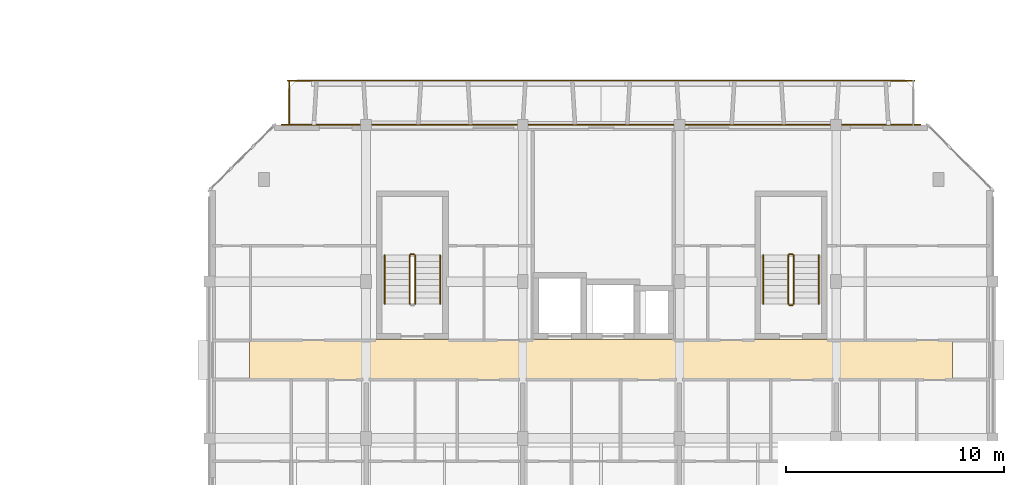
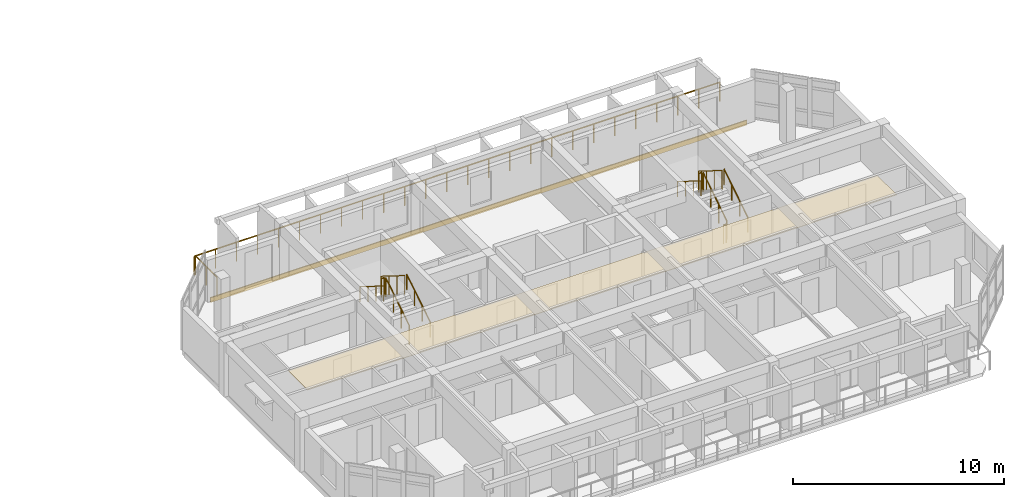
# One storey, part 37 of 40: 13 railings, 2 coverings.
"""IFC4 building model written with IfcOpenShell, lengths in metres."""

import ifcopenshell
import ifcopenshell.guid

model = None  # the IFC model being written
_history = None  # IfcOwnerHistory: only IFC2X3 demands one
_inside = {}  # id of a spatial element -> (the spatial element, [elements in it])
_under = {}  # id of a project, library or spatial element -> (it, [spatial elements below it])
_declared = {}  # id of a project -> (the project, [libraries it declares])
_typed = {}  # id of a type object -> (the type object, [elements of that type])
_made_of = {}  # id of a material, layer set ... -> (it, [elements and type objects made of it])


def new_model(schema):
    """Start an empty IFC model of exactly this schema.

    Asked for "IFC4X3", IfcOpenShell would pick the latest addendum, in which some entities
    have other attributes; the version numbers below select the first issue.
    IFC2X3 requires an IfcOwnerHistory on every rooted entity: one is made here for all.
    """
    global model, _history
    if schema == "IFC4X3":
        model = ifcopenshell.file(schema_version=(4, 3, 0, 0))
    else:
        model = ifcopenshell.file(schema=schema)
    _inside.clear()
    _under.clear()
    _declared.clear()
    _typed.clear()
    _made_of.clear()
    _history = None
    if model.schema == "IFC2X3":
        org = make("IfcOrganization", Name="unknown")
        user = make(
            "IfcPersonAndOrganization",
            ThePerson=make("IfcPerson", FamilyName="unknown"),
            TheOrganization=org,
        )
        app = make(
            "IfcApplication",
            ApplicationDeveloper=org,
            Version="unknown",
            ApplicationFullName="unknown",
            ApplicationIdentifier="unknown",
        )
        _history = make(
            "IfcOwnerHistory",
            OwningUser=user,
            OwningApplication=app,
            ChangeAction="ADDED",
            CreationDate=0,
        )
    return model


def make(cls, **values):
    """One entity of the class cls with the attributes given. An attribute that is None is left unset."""
    return model.create_entity(
        cls, **{name: value for name, value in values.items() if value is not None}
    )


def rooted(cls, **values):
    """An entity with a GlobalId (a new one), such as an element, a storey or a relation."""
    return make(cls, GlobalId=ifcopenshell.guid.new(), OwnerHistory=_history, **values)


def si_unit(unit_type, name, prefix=None):
    """IfcSIUnit, for example si_unit("LENGTHUNIT", "METRE", prefix="MILLI")."""
    return make("IfcSIUnit", UnitType=unit_type, Prefix=prefix, Name=name)


def assignment(units):
    """IfcUnitAssignment: the units of a project."""
    return None if units is None else make("IfcUnitAssignment", Units=units)


def point(xyz):
    """IfcCartesianPoint."""
    return None if xyz is None else make("IfcCartesianPoint", Coordinates=xyz)


def direction(xyz):
    """IfcDirection."""
    return None if xyz is None else make("IfcDirection", DirectionRatios=xyz)


def frame(location, z_axis=None, x_axis=None):
    """IfcAxis2Placement3D, a coordinate frame: its origin and axes. An axis left out is left unset."""
    return make(
        "IfcAxis2Placement3D",
        Location=point(location),
        Axis=direction(z_axis),
        RefDirection=direction(x_axis),
    )


def frame_2d(location, x_axis=None):
    """IfcAxis2Placement2D, a coordinate frame in the plane: its origin and x axis."""
    return make(
        "IfcAxis2Placement2D", Location=point(location), RefDirection=direction(x_axis)
    )


def origin():
    """The frame at (0, 0, 0) with its axes left unset."""
    return frame((0.0, 0.0, 0.0))


def origin_2d():
    """The frame at (0, 0) in the plane with its x axis left unset."""
    return frame_2d((0.0, 0.0))


def place(relative_to, where):
    """IfcLocalPlacement: puts the frame where relative to a parent placement (None: the world)."""
    return make(
        "IfcLocalPlacement", PlacementRelTo=relative_to, RelativePlacement=where
    )


def context(
    kind, dimensions, precision=None, world=None, true_north=None, identifier=None
):
    """IfcGeometricRepresentationContext, for example the 3D "Model" context."""
    return make(
        "IfcGeometricRepresentationContext",
        ContextIdentifier=identifier,
        ContextType=kind,
        CoordinateSpaceDimension=dimensions,
        Precision=precision,
        WorldCoordinateSystem=world,
        TrueNorth=true_north,
    )


def subcontext(parent, identifier, kind, view, scale=None):
    """IfcGeometricRepresentationSubContext, for example "Body" below "Model"."""
    return make(
        "IfcGeometricRepresentationSubContext",
        ContextIdentifier=identifier,
        ContextType=kind,
        ParentContext=parent,
        TargetScale=scale,
        TargetView=view,
    )


def project(units=None, contexts=None):
    """IfcProject with its units and contexts."""
    return rooted(
        "IfcProject",
        Name="project",
        RepresentationContexts=contexts,
        UnitsInContext=assignment(units),
    )


def spatial(cls, under=None, at=None, **own):
    """A site, building, storey or space (cls), placed at a placement, below another one or the project."""
    s = rooted(cls, ObjectPlacement=at, **own)
    if under is not None:
        _under.setdefault(under.id(), (under, []))[1].append(s)
    return s


def polyline(points):
    """IfcPolyline through the points."""
    return make("IfcPolyline", Points=[point(p) for p in points])


def profile(cls, at=None, kind="AREA", **sizes):
    """A parametric profile (cls). Its sizes go by their IFC names, for example OverallWidth=200.0."""
    return make(cls, ProfileType=kind, Position=at, **sizes)


def rectangle(**sizes):
    """IfcRectangleProfileDef."""
    return profile("IfcRectangleProfileDef", **sizes)


def circle(**sizes):
    """IfcCircleProfileDef."""
    return profile("IfcCircleProfileDef", **sizes)


def outline(outer, holes=None, kind="AREA"):
    """IfcArbitraryClosedProfileDef: a profile drawn as a closed curve; with holes, ...WithVoids."""
    if holes is None:
        return make("IfcArbitraryClosedProfileDef", ProfileType=kind, OuterCurve=outer)
    return make(
        "IfcArbitraryProfileDefWithVoids",
        ProfileType=kind,
        OuterCurve=outer,
        InnerCurves=holes,
    )


def extrude(swept, where, along, depth):
    """IfcExtrudedAreaSolid: the profile swept, set in the frame where, extruded along a direction by depth."""
    return make(
        "IfcExtrudedAreaSolid",
        SweptArea=swept,
        Position=where,
        ExtrudedDirection=direction(along),
        Depth=depth,
    )


def shape(context_of_items, identifier, shape_type, items):
    """IfcShapeRepresentation: the items that make up one representation, for example the "Body"."""
    return make(
        "IfcShapeRepresentation",
        ContextOfItems=context_of_items,
        RepresentationIdentifier=identifier,
        RepresentationType=shape_type,
        Items=items,
    )


def material(Name=None, Category=None):
    """IfcMaterial."""
    return make("IfcMaterial", Name=Name, Category=Category)


def layer(
    of_material, thickness, ventilated=None, Name=None, Category=None, Priority=None
):
    """IfcMaterialLayer: one layer of a wall or slab, of a material (None: an air gap)."""
    return make(
        "IfcMaterialLayer",
        Material=of_material,
        LayerThickness=thickness,
        IsVentilated=ventilated,
        Name=Name,
        Category=Category,
        Priority=Priority,
    )


def layer_set(layers, Name=None):
    """IfcMaterialLayerSet."""
    return make("IfcMaterialLayerSet", MaterialLayers=layers, LayerSetName=Name)


def made_of(thing, what):
    """Note that an element or type object is made of a material, layer set ...; save() writes the relation."""
    if what is not None:
        _made_of.setdefault(what.id(), (what, []))[1].append(thing)
    return thing


def type_object(cls, material=None, **own):
    """A type object (cls), such as IfcWallType, which elements share."""
    return made_of(rooted(cls, **own), material)


def element(
    cls,
    number,
    at=None,
    inside=None,
    cuts=None,
    type_object=None,
    material=None,
    context=None,
    identifier="Body",
    shape_type=None,
    held_by="IfcProductDefinitionShape",
    body=None,
    shapes=None,
    **own,
):
    """One element of the class cls, such as IfcWall. Its Tag is "e" and its number.

    at: its placement. inside: the storey or other place that contains it. cuts: it is an
    opening in that element (IfcRelVoidsElement). A single representation is given by context,
    identifier, shape_type and body (its items); several are given by shapes. held_by: the class
    of the entity that holds the representations. save() writes the other relations.
    """
    e = rooted(cls, Tag="e%d" % number, ObjectPlacement=at, **own)
    if body is not None:
        shapes = [shape(context, identifier, shape_type, body)]
    if shapes is not None:
        e.Representation = make(held_by, Representations=shapes)
    if inside is not None:
        _inside.setdefault(inside.id(), (inside, []))[1].append(e)
    if cuts is not None:
        rooted(
            "IfcRelVoidsElement", RelatingBuildingElement=cuts, RelatedOpeningElement=e
        )
    if type_object is not None:
        _typed.setdefault(type_object.id(), (type_object, []))[1].append(e)
    return made_of(e, material)


def aggregate(whole, parts):
    """IfcRelAggregates: a whole, such as a stair, and the parts it consists of."""
    return rooted("IfcRelAggregates", RelatingObject=whole, RelatedObjects=parts)


def save(model, path):
    """Write the relations noted so far, then the file.

    IfcRelAggregates (storeys below a building ...), IfcRelContainedInSpatialStructure (elements
    in a storey), IfcRelDefinesByType, IfcRelAssociatesMaterial and IfcRelDeclares: one each for
    every whole, place, type object, material and project.
    """
    for whole, parts in _under.values():
        aggregate(whole, parts)
    for where, things in _inside.values():
        rooted(
            "IfcRelContainedInSpatialStructure",
            RelatedElements=things,
            RelatingStructure=where,
        )
    for kind, things in _typed.values():
        rooted("IfcRelDefinesByType", RelatedObjects=things, RelatingType=kind)
    for what, things in _made_of.values():
        rooted("IfcRelAssociatesMaterial", RelatedObjects=things, RelatingMaterial=what)
    for by, libraries in _declared.values():
        rooted("IfcRelDeclares", RelatingContext=by, RelatedDefinitions=libraries)
    model.write(path)


model = new_model("IFC4")

# Units and contexts
model_context = context("Model", 3, precision=1e-05, world=origin(), true_north=direction((0.0, 1.0)))
body_context = subcontext(model_context, "Body", "Model", "MODEL_VIEW")
ifc_project = project(units=[si_unit("LENGTHUNIT", "METRE"), si_unit("AREAUNIT", "SQUARE_METRE"), si_unit("VOLUMEUNIT", "CUBIC_METRE"), si_unit("PLANEANGLEUNIT", "RADIAN"), si_unit("MASSUNIT", "GRAM", prefix="KILO")], contexts=[model_context])

# Site, building, storey
site_placement = place(None, origin())
site = spatial("IfcSite", under=ifc_project, at=site_placement, CompositionType="ELEMENT")
building_placement = place(site_placement, origin())
building = spatial("IfcBuilding", under=site, at=building_placement, Name="Ochrevale Crest", CompositionType="ELEMENT")
storey_placement = place(building_placement, frame((0.0, 0.0, 27.60009765625)))
storey = spatial("IfcBuildingStorey", under=building, at=storey_placement, Name="L08", CompositionType="ELEMENT", Elevation=27.60009765625)

# Coverings
ifc_material_1 = material(Name="Gypsum plasterboard", Category="gypsum")
ifc_layer_1 = layer(ifc_material_1, 0.02490234375)
ifc_layer_set_1 = layer_set([ifc_layer_1], Name="Gypsum plasterboard")
covering_type_1 = type_object("IfcCoveringType", Name="COV-CEIL-GYP", PredefinedType="CEILING", material=ifc_layer_set_1)
covering_1_placement = place(storey_placement, frame((0.0, 0.0, 2.27978515625)))
element("IfcCovering", 1, at=covering_1_placement, inside=storey, type_object=covering_type_1, Name="Block C L08 acoustic corridor ceiling", PredefinedType="CEILING", context=body_context, shape_type="SweptSolid", body=[
    extrude(outline(polyline([(131.449951171875, 24.260009765625), (163.75, 24.260009765625), (163.75, 26.139892578125), (131.449951171875, 26.139892578125), (131.449951171875, 24.260009765625)])), origin(), (0.0, 0.0, 1.0), 0.025146484375),
])
ifc_material_2 = material(Name="Glazed terracotta rainscreen tile", Category="masonry")
ifc_layer_2 = layer(ifc_material_2, 0.048095703125)
ifc_layer_set_2 = layer_set([ifc_layer_2], Name="Glazed terracotta rainscreen tile")
covering_type_2 = type_object("IfcCoveringType", Name="COV-CLAD-TER", PredefinedType="CLADDING", material=ifc_layer_set_2)
covering_2_placement = place(storey_placement, frame((147.60009765625, 36.012451171875, -0.26025390625), z_axis=(0.0, 0.0, 1.0), x_axis=(-1.0, 0.0, 0.0)))
element("IfcCovering", 2, at=covering_2_placement, inside=storey, type_object=covering_type_2, Name="Block C L08 terracotta slab-edge spandrel cladding", PredefinedType="CLADDING", context=body_context, shape_type="SweptSolid", body=[
    extrude(rectangle(XDim=29.39990234375, YDim=0.06005859375, at=origin_2d()), origin(), (0.0, 0.0, 1.0), 0.280029296875),
])

# Railings
ifc_material_3 = material(Name="Galvanised steel", Category="steel")
railing_type_1 = type_object("IfcRailingType", Name="RL-BAL-1100", PredefinedType="BALUSTRADE", material=ifc_material_3)
railing_1_placement = place(storey_placement, frame((133.199951171875, 38.0400390625, 0.0)))
element("IfcRailing", 3, at=railing_1_placement, inside=storey, type_object=railing_type_1, Name="Block C L08 N balcony front balustrade", PredefinedType="BALUSTRADE", context=body_context, shape_type="SweptSolid", body=[
    extrude(circle(Radius=0.02392578125, at=origin_2d()), frame((0.0, 0.0, 1.0859375), z_axis=(1.0, 0.0, 0.0), x_axis=(0.0, 1.0, 0.0)), (0.0, 0.0, 1.0), 28.800048828125),
    extrude(circle(Radius=0.02099609375, at=origin_2d()), origin(), (0.0, 0.0, 1.0), 1.06201171875),
    extrude(circle(Radius=0.02099609375, at=origin_2d()), frame((1.152099609375, 0.0, 0.0)), (0.0, 0.0, 1.0), 1.06201171875),
    extrude(circle(Radius=0.02099609375, at=origin_2d()), frame((2.303955078125, 0.0, 0.0)), (0.0, 0.0, 1.0), 1.06201171875),
    extrude(circle(Radius=0.02099609375, at=origin_2d()), frame((3.4560546875, 0.0, 0.0)), (0.0, 0.0, 1.0), 1.06201171875),
    extrude(circle(Radius=0.02099609375, at=origin_2d()), frame((4.60791015625, 0.0, 0.0)), (0.0, 0.0, 1.0), 1.06201171875),
    extrude(circle(Radius=0.02099609375, at=origin_2d()), frame((5.760009765625, 0.0, 0.0)), (0.0, 0.0, 1.0), 1.06201171875),
    extrude(circle(Radius=0.02099609375, at=origin_2d()), frame((6.912109375, 0.0, 0.0)), (0.0, 0.0, 1.0), 1.06201171875),
    extrude(circle(Radius=0.02099609375, at=origin_2d()), frame((8.06396484375, 0.0, 0.0)), (0.0, 0.0, 1.0), 1.06201171875),
    extrude(circle(Radius=0.02099609375, at=origin_2d()), frame((9.216064453125, 0.0, 0.0)), (0.0, 0.0, 1.0), 1.06201171875),
    extrude(circle(Radius=0.02099609375, at=origin_2d()), frame((10.367919921875, 0.0, 0.0)), (0.0, 0.0, 1.0), 1.06201171875),
    extrude(circle(Radius=0.02099609375, at=origin_2d()), frame((11.52001953125, 0.0, 0.0)), (0.0, 0.0, 1.0), 1.06201171875),
    extrude(circle(Radius=0.02099609375, at=origin_2d()), frame((12.672119140625, 0.0, 0.0)), (0.0, 0.0, 1.0), 1.06201171875),
    extrude(circle(Radius=0.02099609375, at=origin_2d()), frame((13.823974609375, 0.0, 0.0)), (0.0, 0.0, 1.0), 1.06201171875),
    extrude(circle(Radius=0.02099609375, at=origin_2d()), frame((14.97607421875, 0.0, 0.0)), (0.0, 0.0, 1.0), 1.06201171875),
    extrude(circle(Radius=0.02099609375, at=origin_2d()), frame((16.1279296875, 0.0, 0.0)), (0.0, 0.0, 1.0), 1.06201171875),
    extrude(circle(Radius=0.02099609375, at=origin_2d()), frame((17.280029296875, 0.0, 0.0)), (0.0, 0.0, 1.0), 1.06201171875),
    extrude(circle(Radius=0.02099609375, at=origin_2d()), frame((18.43212890625, 0.0, 0.0)), (0.0, 0.0, 1.0), 1.06201171875),
    extrude(circle(Radius=0.02099609375, at=origin_2d()), frame((19.583984375, 0.0, 0.0)), (0.0, 0.0, 1.0), 1.06201171875),
    extrude(circle(Radius=0.02099609375, at=origin_2d()), frame((20.736083984375, 0.0, 0.0)), (0.0, 0.0, 1.0), 1.06201171875),
    extrude(circle(Radius=0.02099609375, at=origin_2d()), frame((21.887939453125, 0.0, 0.0)), (0.0, 0.0, 1.0), 1.06201171875),
    extrude(circle(Radius=0.02099609375, at=origin_2d()), frame((23.0400390625, 0.0, 0.0)), (0.0, 0.0, 1.0), 1.06201171875),
    extrude(circle(Radius=0.02099609375, at=origin_2d()), frame((24.192138671875, 0.0, 0.0)), (0.0, 0.0, 1.0), 1.06201171875),
    extrude(circle(Radius=0.02099609375, at=origin_2d()), frame((25.343994140625, 0.0, 0.0)), (0.0, 0.0, 1.0), 1.06201171875),
    extrude(circle(Radius=0.02099609375, at=origin_2d()), frame((26.49609375, 0.0, 0.0)), (0.0, 0.0, 1.0), 1.06201171875),
    extrude(circle(Radius=0.02099609375, at=origin_2d()), frame((27.64794921875, 0.0, 0.0)), (0.0, 0.0, 1.0), 1.06201171875),
    extrude(circle(Radius=0.02099609375, at=origin_2d()), frame((28.800048828125, 0.0, 0.0)), (0.0, 0.0, 1.0), 1.06201171875),
])
railing_2_placement = place(storey_placement, frame((133.260009765625, 36.0, 0.0)))
element("IfcRailing", 4, at=railing_2_placement, inside=storey, type_object=railing_type_1, Name="Block C L08 N-W balcony side guard", PredefinedType="BALUSTRADE", context=body_context, shape_type="SweptSolid", body=[
    extrude(circle(Radius=0.02392578125, at=origin_2d()), frame((0.0, 0.0, 1.0859375), z_axis=(0.0, 1.0, 0.0), x_axis=(-1.0, 0.0, 0.0)), (0.0, 0.0, 1.0), 2.0400390625),
    extrude(circle(Radius=0.02099609375, at=origin_2d()), origin(), (0.0, 0.0, 1.0), 1.06201171875),
    extrude(circle(Radius=0.02099609375, at=origin_2d()), frame((0.0, 1.02001953125, 0.0)), (0.0, 0.0, 1.0), 1.06201171875),
    extrude(circle(Radius=0.02099609375, at=origin_2d()), frame((0.0, 2.0400390625, 0.0)), (0.0, 0.0, 1.0), 1.06201171875),
])
railing_type_2 = type_object("IfcRailingType", Name="RL-ST-GUARD", PredefinedType="BALUSTRADE", material=ifc_material_3)
railing_3_placement = place(storey_placement, frame((139.050048828125, 27.77490234375, 0.1748046875)))
element("IfcRailing", 5, at=railing_3_placement, inside=storey, type_object=railing_type_2, Name="L08 ST-C1 stair guard 1", PredefinedType="BALUSTRADE", context=body_context, shape_type="SweptSolid", body=[
    extrude(circle(Radius=0.02392578125, at=origin_2d()), frame((0.0, 0.0, 1.076171875), z_axis=(0.0, 0.847972341737, 0.530040477369), x_axis=(-1.0, 0.0, 0.0)), (0.0, 0.0, 1.0), 2.6416015625),
    extrude(circle(Radius=0.02099609375, at=origin_2d()), origin(), (0.0, 0.0, 1.0), 1.052001953125),
    extrude(circle(Radius=0.02099609375, at=origin_2d()), frame((0.0, 0.74658203125, 0.466796875)), (0.0, 0.0, 1.0), 1.052001953125),
    extrude(circle(Radius=0.02099609375, at=origin_2d()), frame((0.0, 1.493408203125, 0.933349609375)), (0.0, 0.0, 1.0), 1.052001953125),
    extrude(circle(Radius=0.02099609375, at=origin_2d()), frame((0.0, 2.239990234375, 1.400146484375)), (0.0, 0.0, 1.0), 1.052001953125),
])
railing_4_placement = place(storey_placement, frame((139.0, 30.06494140625, 1.574951171875)))
element("IfcRailing", 6, at=railing_4_placement, inside=storey, type_object=railing_type_2, Name="L08 ST-C1 stair guard 2", PredefinedType="BALUSTRADE", context=body_context, shape_type="SweptSolid", body=[
    extrude(circle(Radius=0.02392578125, at=origin_2d()), frame((0.0, 0.0, 1.076171875), z_axis=(-1.0, 0.0, 0.0), x_axis=(0.0, -1.0, 0.0)), (0.0, 0.0, 1.0), 0.14990234375),
    extrude(circle(Radius=0.02099609375, at=origin_2d()), origin(), (0.0, 0.0, 1.0), 1.052001953125),
    extrude(circle(Radius=0.02099609375, at=origin_2d()), frame((-0.14990234375, 0.0, 0.0)), (0.0, 0.0, 1.0), 1.052001953125),
])
railing_5_placement = place(storey_placement, frame((138.800048828125, 30.014892578125, 1.75)))
element("IfcRailing", 7, at=railing_5_placement, inside=storey, type_object=railing_type_2, Name="L08 ST-C1 stair guard 3", PredefinedType="BALUSTRADE", context=body_context, shape_type="SweptSolid", body=[
    extrude(circle(Radius=0.02392578125, at=origin_2d()), frame((0.0, 0.0, 1.076171875), z_axis=(0.0, -0.848013881152, 0.529974015752), x_axis=(1.0, 0.0, 0.0)), (0.0, 0.0, 1.0), 2.641357421875),
    extrude(circle(Radius=0.02099609375, at=origin_2d()), origin(), (0.0, 0.0, 1.0), 1.052001953125),
    extrude(circle(Radius=0.02099609375, at=origin_2d()), frame((0.0, -0.74658203125, 0.466552734375)), (0.0, 0.0, 1.0), 1.052001953125),
    extrude(circle(Radius=0.02099609375, at=origin_2d()), frame((0.0, -1.493408203125, 0.933349609375)), (0.0, 0.0, 1.0), 1.052001953125),
    extrude(circle(Radius=0.02099609375, at=origin_2d()), frame((0.0, -2.239990234375, 1.39990234375)), (0.0, 0.0, 1.0), 1.052001953125),
])
railing_6_placement = place(storey_placement, frame((156.449951171875, 27.77490234375, 0.1748046875)))
element("IfcRailing", 8, at=railing_6_placement, inside=storey, type_object=railing_type_2, Name="L08 ST-C2 stair guard 1", PredefinedType="BALUSTRADE", context=body_context, shape_type="SweptSolid", body=[
    extrude(circle(Radius=0.02392578125, at=origin_2d()), frame((0.0, 0.0, 1.076171875), z_axis=(0.0, 0.847972341737, 0.530040477369), x_axis=(-1.0, 0.0, 0.0)), (0.0, 0.0, 1.0), 2.6416015625),
    extrude(circle(Radius=0.02099609375, at=origin_2d()), origin(), (0.0, 0.0, 1.0), 1.052001953125),
    extrude(circle(Radius=0.02099609375, at=origin_2d()), frame((0.0, 0.74658203125, 0.466796875)), (0.0, 0.0, 1.0), 1.052001953125),
    extrude(circle(Radius=0.02099609375, at=origin_2d()), frame((0.0, 1.493408203125, 0.933349609375)), (0.0, 0.0, 1.0), 1.052001953125),
    extrude(circle(Radius=0.02099609375, at=origin_2d()), frame((0.0, 2.239990234375, 1.400146484375)), (0.0, 0.0, 1.0), 1.052001953125),
])
railing_7_placement = place(storey_placement, frame((156.39990234375, 30.06494140625, 1.574951171875)))
element("IfcRailing", 9, at=railing_7_placement, inside=storey, type_object=railing_type_2, Name="L08 ST-C2 stair guard 2", PredefinedType="BALUSTRADE", context=body_context, shape_type="SweptSolid", body=[
    extrude(circle(Radius=0.02392578125, at=origin_2d()), frame((0.0, 0.0, 1.076171875), z_axis=(-1.0, 0.0, 0.0), x_axis=(0.0, -1.0, 0.0)), (0.0, 0.0, 1.0), 0.14990234375),
    extrude(circle(Radius=0.02099609375, at=origin_2d()), origin(), (0.0, 0.0, 1.0), 1.052001953125),
    extrude(circle(Radius=0.02099609375, at=origin_2d()), frame((-0.14990234375, 0.0, 0.0)), (0.0, 0.0, 1.0), 1.052001953125),
])
railing_8_placement = place(storey_placement, frame((156.199951171875, 30.014892578125, 1.75)))
element("IfcRailing", 10, at=railing_8_placement, inside=storey, type_object=railing_type_2, Name="L08 ST-C2 stair guard 3", PredefinedType="BALUSTRADE", context=body_context, shape_type="SweptSolid", body=[
    extrude(circle(Radius=0.02392578125, at=origin_2d()), frame((0.0, 0.0, 1.076171875), z_axis=(0.0, -0.848013881152, 0.529974015752), x_axis=(1.0, 0.0, 0.0)), (0.0, 0.0, 1.0), 2.641357421875),
    extrude(circle(Radius=0.02099609375, at=origin_2d()), origin(), (0.0, 0.0, 1.0), 1.052001953125),
    extrude(circle(Radius=0.02099609375, at=origin_2d()), frame((0.0, -0.74658203125, 0.466552734375)), (0.0, 0.0, 1.0), 1.052001953125),
    extrude(circle(Radius=0.02099609375, at=origin_2d()), frame((0.0, -1.493408203125, 0.933349609375)), (0.0, 0.0, 1.0), 1.052001953125),
    extrude(circle(Radius=0.02099609375, at=origin_2d()), frame((0.0, -2.239990234375, 1.39990234375)), (0.0, 0.0, 1.0), 1.052001953125),
])
railing_9_placement = place(storey_placement, frame((156.39990234375, 27.72509765625, 0.0)))
element("IfcRailing", 11, at=railing_9_placement, inside=storey, type_object=railing_type_2, Name="L08 ST-C2 stair guard 4", PredefinedType="BALUSTRADE", context=body_context, shape_type="SweptSolid", body=[
    extrude(circle(Radius=0.02392578125, at=origin_2d()), frame((0.0, 0.0, 1.076171875), z_axis=(-1.0, 0.0, 0.0), x_axis=(0.0, -1.0, 0.0)), (0.0, 0.0, 1.0), 0.14990234375),
    extrude(circle(Radius=0.02099609375, at=origin_2d()), origin(), (0.0, 0.0, 1.0), 1.052001953125),
    extrude(circle(Radius=0.02099609375, at=origin_2d()), frame((-0.14990234375, 0.0, 0.0)), (0.0, 0.0, 1.0), 1.052001953125),
])
ifc_material_4 = material(Name="Stainless steel", Category="steel")
railing_type_3 = type_object("IfcRailingType", Name="RL-ST-HRAIL", PredefinedType="HANDRAIL", material=ifc_material_4)
railing_10_placement = place(storey_placement, frame((140.199951171875, 27.77490234375, 0.1748046875)))
element("IfcRailing", 12, at=railing_10_placement, inside=storey, type_object=railing_type_3, Name="L08 ST-C1 stair handrail 1", PredefinedType="HANDRAIL", context=body_context, shape_type="SweptSolid", body=[
    extrude(circle(Radius=0.02392578125, at=origin_2d()), frame((0.0, 0.0, 0.8759765625), z_axis=(0.0, 0.847972341737, 0.530040477369), x_axis=(-1.0, 0.0, 0.0)), (0.0, 0.0, 1.0), 2.6416015625),
    extrude(circle(Radius=0.02099609375, at=origin_2d()), origin(), (0.0, 0.0, 1.0), 0.851806640625),
    extrude(circle(Radius=0.02099609375, at=origin_2d()), frame((0.0, 0.74658203125, 0.466796875)), (0.0, 0.0, 1.0), 0.851806640625),
    extrude(circle(Radius=0.02099609375, at=origin_2d()), frame((0.0, 1.493408203125, 0.933349609375)), (0.0, 0.0, 1.0), 0.851806640625),
    extrude(circle(Radius=0.02099609375, at=origin_2d()), frame((0.0, 2.239990234375, 1.400146484375)), (0.0, 0.0, 1.0), 0.851806640625),
])
railing_11_placement = place(storey_placement, frame((137.64990234375, 30.014892578125, 1.75)))
element("IfcRailing", 13, at=railing_11_placement, inside=storey, type_object=railing_type_3, Name="L08 ST-C1 stair handrail 2", PredefinedType="HANDRAIL", context=body_context, shape_type="SweptSolid", body=[
    extrude(circle(Radius=0.02392578125, at=origin_2d()), frame((0.0, 0.0, 0.8759765625), z_axis=(0.0, -0.848013881152, 0.529974015752), x_axis=(1.0, 0.0, 0.0)), (0.0, 0.0, 1.0), 2.641357421875),
    extrude(circle(Radius=0.02099609375, at=origin_2d()), origin(), (0.0, 0.0, 1.0), 0.851806640625),
    extrude(circle(Radius=0.02099609375, at=origin_2d()), frame((0.0, -0.74658203125, 0.466552734375)), (0.0, 0.0, 1.0), 0.851806640625),
    extrude(circle(Radius=0.02099609375, at=origin_2d()), frame((0.0, -1.493408203125, 0.933349609375)), (0.0, 0.0, 1.0), 0.851806640625),
    extrude(circle(Radius=0.02099609375, at=origin_2d()), frame((0.0, -2.239990234375, 1.39990234375)), (0.0, 0.0, 1.0), 0.851806640625),
])
railing_12_placement = place(storey_placement, frame((157.60009765625, 27.77490234375, 0.1748046875)))
element("IfcRailing", 14, at=railing_12_placement, inside=storey, type_object=railing_type_3, Name="L08 ST-C2 stair handrail 1", PredefinedType="HANDRAIL", context=body_context, shape_type="SweptSolid", body=[
    extrude(circle(Radius=0.02392578125, at=origin_2d()), frame((0.0, 0.0, 0.8759765625), z_axis=(0.0, 0.847972341737, 0.530040477369), x_axis=(-1.0, 0.0, 0.0)), (0.0, 0.0, 1.0), 2.6416015625),
    extrude(circle(Radius=0.02099609375, at=origin_2d()), origin(), (0.0, 0.0, 1.0), 0.851806640625),
    extrude(circle(Radius=0.02099609375, at=origin_2d()), frame((0.0, 0.74658203125, 0.466796875)), (0.0, 0.0, 1.0), 0.851806640625),
    extrude(circle(Radius=0.02099609375, at=origin_2d()), frame((0.0, 1.493408203125, 0.933349609375)), (0.0, 0.0, 1.0), 0.851806640625),
    extrude(circle(Radius=0.02099609375, at=origin_2d()), frame((0.0, 2.239990234375, 1.400146484375)), (0.0, 0.0, 1.0), 0.851806640625),
])
railing_13_placement = place(storey_placement, frame((155.050048828125, 30.014892578125, 1.75)))
element("IfcRailing", 15, at=railing_13_placement, inside=storey, type_object=railing_type_3, Name="L08 ST-C2 stair handrail 2", PredefinedType="HANDRAIL", context=body_context, shape_type="SweptSolid", body=[
    extrude(circle(Radius=0.02392578125, at=origin_2d()), frame((0.0, 0.0, 0.8759765625), z_axis=(0.0, -0.848013881152, 0.529974015752), x_axis=(1.0, 0.0, 0.0)), (0.0, 0.0, 1.0), 2.641357421875),
    extrude(circle(Radius=0.02099609375, at=origin_2d()), origin(), (0.0, 0.0, 1.0), 0.851806640625),
    extrude(circle(Radius=0.02099609375, at=origin_2d()), frame((0.0, -0.74658203125, 0.466552734375)), (0.0, 0.0, 1.0), 0.851806640625),
    extrude(circle(Radius=0.02099609375, at=origin_2d()), frame((0.0, -1.493408203125, 0.933349609375)), (0.0, 0.0, 1.0), 0.851806640625),
    extrude(circle(Radius=0.02099609375, at=origin_2d()), frame((0.0, -2.239990234375, 1.39990234375)), (0.0, 0.0, 1.0), 0.851806640625),
])

save(model, "model.ifc")
